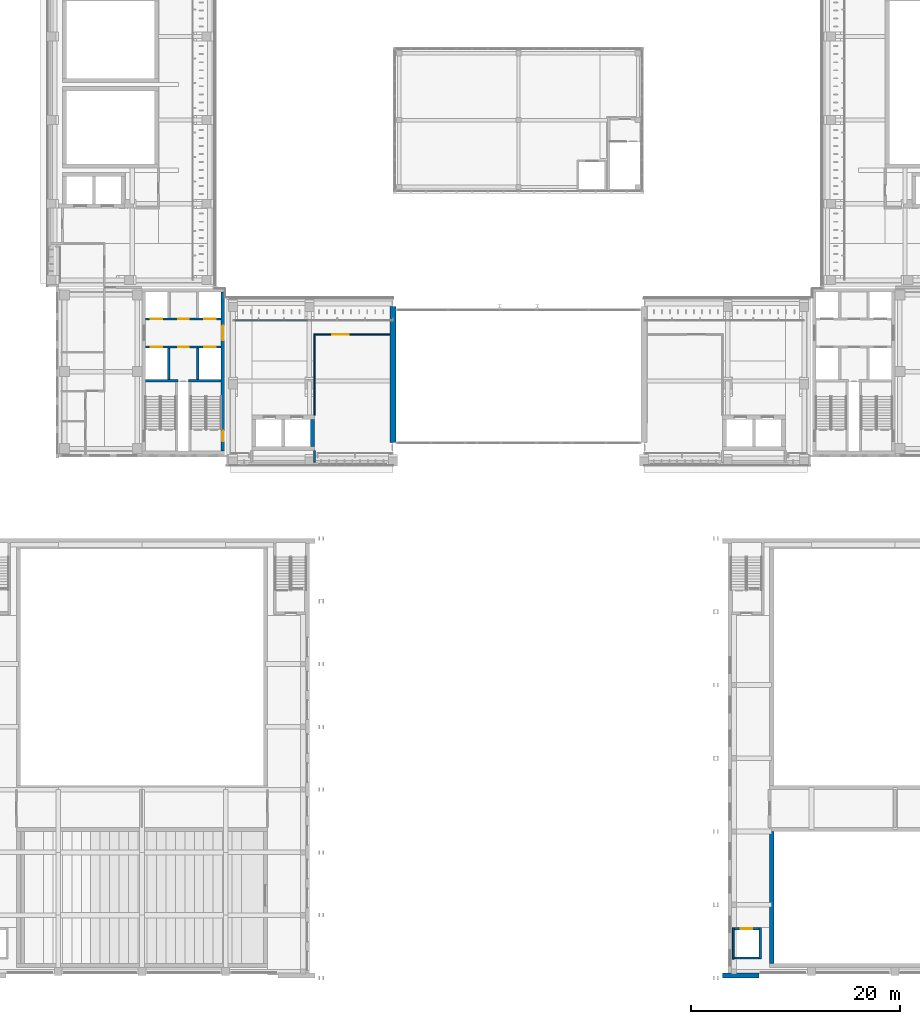
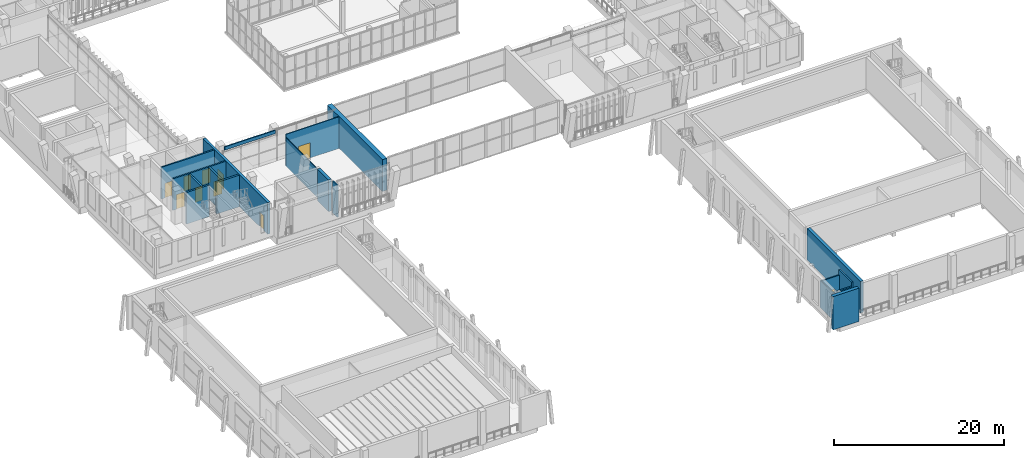
# One storey, part 60 of 92: 19 walls, 10 doors, 10 openings.
"""IFC4 building model written with IfcOpenShell, lengths in metres."""

from ifc_helpers import new_model, si_unit, direction, frame, frame_2d, origin, place, context, subcontext, project, spatial, rectangle, extrude, material, layer, layer_set, type_object, element, fill, save


model = new_model("IFC4")

# Units and contexts
model_context = context("Model", 3, precision=1e-05, world=origin(), true_north=direction((0.0, 1.0)))
body_context = subcontext(model_context, "Body", "Model", "MODEL_VIEW")
ifc_project = project(units=[si_unit("LENGTHUNIT", "METRE"), si_unit("AREAUNIT", "SQUARE_METRE"), si_unit("VOLUMEUNIT", "CUBIC_METRE"), si_unit("PLANEANGLEUNIT", "RADIAN"), si_unit("MASSUNIT", "GRAM", prefix="KILO")], contexts=[model_context])

# Site, building, storey
site_placement = place(None, origin())
site = spatial("IfcSite", under=ifc_project, at=site_placement, CompositionType="ELEMENT")
building_placement = place(site_placement, origin())
building = spatial("IfcBuilding", under=site, at=building_placement, Name="Lantern Court Media Centre", CompositionType="ELEMENT")
storey_placement = place(building_placement, frame((0.0, 0.0, 4.800048828125)))
storey = spatial("IfcBuildingStorey", under=building, at=storey_placement, Name="L01", CompositionType="ELEMENT", Elevation=4.800048828125)

# Wall
ifc_material_1 = material(Name="Gypsum board partition")
ifc_layer_1 = layer(ifc_material_1, 0.125)
ifc_layer_set_1 = layer_set([ifc_layer_1], Name="Gypsum board partition")
wall_type_1 = type_object("IfcWallType", Name="Corridor partition 125", PredefinedType="PARTITIONING", material=ifc_layer_set_1)
wall_1_placement = place(storey_placement, frame((32.5, 51.800048828125, 0.0), z_axis=(0.0, 0.0, 1.0), x_axis=(0.0, 1.0, 0.0)))
element("IfcWall", 1, at=wall_1_placement, inside=storey, type_object=wall_type_1, Name="L01 partition 005", PredefinedType="PARTITIONING", context=body_context, shape_type="SweptSolid", body=[
    extrude(rectangle(XDim=7.637451171875, YDim=0.125, at=frame_2d((3.81884765625, 0.0))), origin(), (0.0, 0.0, 1.0), 4.079833984375),
])

# Wall, opening, door
wall_2_placement = place(storey_placement, frame((32.4375, 59.5, 0.0), z_axis=(0.0, 0.0, 1.0), x_axis=(1.0, 0.0, 0.0)))
wall_2 = element("IfcWall", 2, at=wall_2_placement, inside=storey, type_object=wall_type_1, Name="L01 partition 008", PredefinedType="PARTITIONING", context=body_context, shape_type="SweptSolid", body=[
    extrude(rectangle(XDim=7.262451171875, YDim=0.125, at=frame_2d((3.63134765625, 0.0))), origin(), (0.0, 0.0, 1.0), 4.56005859375),
])
opening_1_placement = place(wall_2_placement, frame((1.737548828125, 0.0, 0.0)))
opening_1 = element("IfcOpeningElement", 3, at=opening_1_placement, cuts=wall_2, Name="Opening L01-001", PredefinedType="OPENING", context=body_context, shape_type="SweptSolid", body=[
    extrude(rectangle(XDim=1.60009765625, YDim=2.199951171875, at=frame_2d((0.800048828125, 1.10009765625))), frame((0.0, 0.072509765625, 0.0), z_axis=(0.0, -1.0, 0.0), x_axis=(1.0, 0.0, 0.0)), (0.0, 0.0, 1.0), 0.14501953125),
])
ifc_material_2 = material(Name="Solid-core timber door leaf", Category="wood")
door_type_1 = type_object("IfcDoorType", Name="Double door 1600x2200", OperationType="NOTDEFINED", PredefinedType="DOOR", material=ifc_material_2)
door_1_placement = place(opening_1_placement, frame((1.60009765625, 0.0, 0.0), z_axis=(0.0, 0.0, 1.0), x_axis=(-1.0, 0.0, 0.0)))
door_1 = element("IfcDoor", 4, at=door_1_placement, inside=storey, type_object=door_type_1, Name="L01 Exhibition Gallery door", OperationType="DOUBLE_DOOR_SINGLE_SWING", OverallHeight=2.199951171875, OverallWidth=1.60009765625, PredefinedType="DOOR", context=body_context, shape_type="SweptSolid", body=[
    extrude(rectangle(XDim=1.60009765625, YDim=2.199951171875, at=frame_2d((0.800048828125, 1.10009765625))), frame((0.0, 0.02490234375, 0.0), z_axis=(0.0, -1.0, 0.0), x_axis=(1.0, 0.0, 0.0)), (0.0, 0.0, 1.0), 0.050048828125),
])
fill(opening_1, door_1)

# Wall, openings, doors
ifc_material_3 = material(Name="Concrete C40", Category="concrete")
ifc_layer_2 = layer(ifc_material_3, 0.199951171875)
ifc_layer_set_2 = layer_set([ifc_layer_2], Name="Concrete C40")
wall_type_2 = type_object("IfcWallType", Name="Fire lobby wall 200", PredefinedType="SOLIDWALL", material=ifc_layer_set_2)
wall_3_placement = place(storey_placement, frame((16.35009765625, 58.300048828125, 0.0), z_axis=(0.0, 0.0, 1.0), x_axis=(1.0, 0.0, 0.0)))
wall_3 = element("IfcWall", 5, at=wall_3_placement, inside=storey, type_object=wall_type_2, Name="L01 SW FW1", PredefinedType="SOLIDWALL", context=body_context, shape_type="SweptSolid", body=[
    extrude(rectangle(XDim=7.199951171875, YDim=0.199951171875, at=frame_2d((3.60009765625, 0.0))), origin(), (0.0, 0.0, 1.0), 4.550048828125),
])
opening_2_placement = place(wall_3_placement, frame((0.5, 0.0, 0.0)))
opening_2 = element("IfcOpeningElement", 6, at=opening_2_placement, cuts=wall_3, Name="Opening LD-SWFF-L01", PredefinedType="OPENING", context=body_context, shape_type="SweptSolid", body=[
    extrude(rectangle(XDim=1.10009765625, YDim=2.10009765625, at=frame_2d((0.550048828125, 1.050048828125))), frame((0.0, 0.10986328125, 0.0), z_axis=(0.0, -1.0, 0.0), x_axis=(1.0, 0.0, 0.0)), (0.0, 0.0, 1.0), 0.219970703125),
])
opening_3_placement = place(wall_3_placement, frame((5.60009765625, 0.0, 0.0)))
opening_3 = element("IfcOpeningElement", 7, at=opening_3_placement, cuts=wall_3, Name="Opening LD-SWP1-L01", PredefinedType="OPENING", context=body_context, shape_type="SweptSolid", body=[
    extrude(rectangle(XDim=1.10009765625, YDim=2.10009765625, at=frame_2d((0.550048828125, 1.050048828125))), frame((0.0, 0.10986328125, 0.0), z_axis=(0.0, -1.0, 0.0), x_axis=(1.0, 0.0, 0.0)), (0.0, 0.0, 1.0), 0.219970703125),
])
opening_4_placement = place(wall_3_placement, frame((3.10009765625, 0.0, 0.0)))
opening_4 = element("IfcOpeningElement", 8, at=opening_4_placement, cuts=wall_3, Name="Opening SW-L01-03", PredefinedType="OPENING", context=body_context, shape_type="SweptSolid", body=[
    extrude(rectangle(XDim=1.0, YDim=2.10009765625, at=frame_2d((0.5, 1.050048828125))), frame((0.0, 0.10986328125, 0.0), z_axis=(0.0, -1.0, 0.0), x_axis=(1.0, 0.0, 0.0)), (0.0, 0.0, 1.0), 0.219970703125),
])
ifc_material_4 = material(Name="Steel door leaf", Category="steel")
door_type_2 = type_object("IfcDoorType", Name="Lift landing door 1100x2100", OperationType="DOUBLE_DOOR_SLIDING", PredefinedType="DOOR", material=ifc_material_4)
door_2_placement = place(opening_2_placement, origin())
door_2 = element("IfcDoor", 9, at=door_2_placement, inside=storey, type_object=door_type_2, Name="L01 SW lift FF landing door", OperationType="DOUBLE_DOOR_SLIDING", OverallHeight=2.10009765625, OverallWidth=1.10009765625, PredefinedType="DOOR", context=body_context, shape_type="SweptSolid", body=[
    extrude(rectangle(XDim=1.10009765625, YDim=2.10009765625, at=frame_2d((0.550048828125, 1.050048828125))), frame((0.0, 0.02490234375, 0.0), z_axis=(0.0, -1.0, 0.0), x_axis=(1.0, 0.0, 0.0)), (0.0, 0.0, 1.0), 0.050048828125),
])
fill(opening_2, door_2)
door_3_placement = place(opening_3_placement, origin())
door_3 = element("IfcDoor", 10, at=door_3_placement, inside=storey, type_object=door_type_2, Name="L01 SW lift P1 landing door", OperationType="DOUBLE_DOOR_SLIDING", OverallHeight=2.10009765625, OverallWidth=1.10009765625, PredefinedType="DOOR", context=body_context, shape_type="SweptSolid", body=[
    extrude(rectangle(XDim=1.10009765625, YDim=2.10009765625, at=frame_2d((0.550048828125, 1.050048828125))), frame((0.0, 0.02490234375, 0.0), z_axis=(0.0, -1.0, 0.0), x_axis=(1.0, 0.0, 0.0)), (0.0, 0.0, 1.0), 0.050048828125),
])
fill(opening_3, door_3)
door_type_3 = type_object("IfcDoorType", Name="Service door 1000x2100", OperationType="NOTDEFINED", PredefinedType="DOOR", material=ifc_material_4)
door_4_placement = place(opening_4_placement, origin())
door_4 = element("IfcDoor", 11, at=door_4_placement, inside=storey, type_object=door_type_3, Name="L01 SW services riser door", OperationType="SINGLE_SWING_LEFT", OverallHeight=2.10009765625, OverallWidth=1.0, PredefinedType="DOOR", context=body_context, shape_type="SweptSolid", body=[
    extrude(rectangle(XDim=1.0, YDim=2.10009765625, at=frame_2d((0.5, 1.050048828125))), frame((0.0, 0.02490234375, 0.0), z_axis=(0.0, -1.0, 0.0), x_axis=(1.0, 0.0, 0.0)), (0.0, 0.0, 1.0), 0.050048828125),
])
fill(opening_4, door_4)

wall_4_placement = place(storey_placement, frame((16.35009765625, 61.0, 0.0), z_axis=(0.0, 0.0, 1.0), x_axis=(1.0, 0.0, 0.0)))
wall_4 = element("IfcWall", 12, at=wall_4_placement, inside=storey, type_object=wall_type_2, Name="L01 SW FW2", PredefinedType="SOLIDWALL", context=body_context, shape_type="SweptSolid", body=[
    extrude(rectangle(XDim=7.199951171875, YDim=0.199951171875, at=frame_2d((3.60009765625, 0.0))), origin(), (0.0, 0.0, 1.0), 4.550048828125),
])
opening_5_placement = place(wall_4_placement, frame((0.5, 0.0, 0.0)))
opening_5 = element("IfcOpeningElement", 13, at=opening_5_placement, cuts=wall_4, Name="Opening LD-SWP2-L01", PredefinedType="OPENING", context=body_context, shape_type="SweptSolid", body=[
    extrude(rectangle(XDim=1.10009765625, YDim=2.10009765625, at=frame_2d((0.550048828125, 1.050048828125))), frame((0.0, 0.10986328125, 0.0), z_axis=(0.0, -1.0, 0.0), x_axis=(1.0, 0.0, 0.0)), (0.0, 0.0, 1.0), 0.219970703125),
])
opening_6_placement = place(wall_4_placement, frame((5.60009765625, 0.0, 0.0)))
opening_6 = element("IfcOpeningElement", 14, at=opening_6_placement, cuts=wall_4, Name="Opening LD-SWP3-L01", PredefinedType="OPENING", context=body_context, shape_type="SweptSolid", body=[
    extrude(rectangle(XDim=1.10009765625, YDim=2.10009765625, at=frame_2d((0.550048828125, 1.050048828125))), frame((0.0, 0.10986328125, 0.0), z_axis=(0.0, -1.0, 0.0), x_axis=(1.0, 0.0, 0.0)), (0.0, 0.0, 1.0), 0.219970703125),
])
opening_7_placement = place(wall_4_placement, frame((3.10009765625, 0.0, 0.0)))
opening_7 = element("IfcOpeningElement", 15, at=opening_7_placement, cuts=wall_4, Name="Opening SW-L01-04", PredefinedType="OPENING", context=body_context, shape_type="SweptSolid", body=[
    extrude(rectangle(XDim=1.0, YDim=2.10009765625, at=frame_2d((0.5, 1.050048828125))), frame((0.0, 0.10986328125, 0.0), z_axis=(0.0, -1.0, 0.0), x_axis=(1.0, 0.0, 0.0)), (0.0, 0.0, 1.0), 0.219970703125),
])
door_5_placement = place(opening_5_placement, frame((1.10009765625, 0.0, 0.0), z_axis=(0.0, 0.0, 1.0), x_axis=(-1.0, 0.0, 0.0)))
door_5 = element("IfcDoor", 16, at=door_5_placement, inside=storey, type_object=door_type_2, Name="L01 SW lift P2 landing door", OperationType="DOUBLE_DOOR_SLIDING", OverallHeight=2.10009765625, OverallWidth=1.10009765625, PredefinedType="DOOR", context=body_context, shape_type="SweptSolid", body=[
    extrude(rectangle(XDim=1.10009765625, YDim=2.10009765625, at=frame_2d((0.550048828125, 1.050048828125))), frame((0.0, 0.02490234375, 0.0), z_axis=(0.0, -1.0, 0.0), x_axis=(1.0, 0.0, 0.0)), (0.0, 0.0, 1.0), 0.050048828125),
])
fill(opening_5, door_5)
door_6_placement = place(opening_6_placement, frame((1.10009765625, 0.0, 0.0), z_axis=(0.0, 0.0, 1.0), x_axis=(-1.0, 0.0, 0.0)))
door_6 = element("IfcDoor", 17, at=door_6_placement, inside=storey, type_object=door_type_2, Name="L01 SW lift P3 landing door", OperationType="DOUBLE_DOOR_SLIDING", OverallHeight=2.10009765625, OverallWidth=1.10009765625, PredefinedType="DOOR", context=body_context, shape_type="SweptSolid", body=[
    extrude(rectangle(XDim=1.10009765625, YDim=2.10009765625, at=frame_2d((0.550048828125, 1.050048828125))), frame((0.0, 0.02490234375, 0.0), z_axis=(0.0, -1.0, 0.0), x_axis=(1.0, 0.0, 0.0)), (0.0, 0.0, 1.0), 0.050048828125),
])
fill(opening_6, door_6)
door_7_placement = place(opening_7_placement, frame((1.0, 0.0, 0.0), z_axis=(0.0, 0.0, 1.0), x_axis=(-1.0, 0.0, 0.0)))
door_7 = element("IfcDoor", 18, at=door_7_placement, inside=storey, type_object=door_type_3, Name="L01 SW accessible WC door", OperationType="SINGLE_SWING_RIGHT", OverallHeight=2.10009765625, OverallWidth=1.0, PredefinedType="DOOR", context=body_context, shape_type="SweptSolid", body=[
    extrude(rectangle(XDim=1.0, YDim=2.10009765625, at=frame_2d((0.5, 1.050048828125))), frame((0.0, 0.02490234375, 0.0), z_axis=(0.0, -1.0, 0.0), x_axis=(1.0, 0.0, 0.0)), (0.0, 0.0, 1.0), 0.050048828125),
])
fill(opening_7, door_7)

# Walls
ifc_material_5 = material(Name="Limestone masonry, insulated", Category="masonry")
ifc_layer_3 = layer(ifc_material_5, 0.449951171875)
ifc_layer_set_3 = layer_set([ifc_layer_3], Name="Limestone masonry, insulated")
wall_type_3 = type_object("IfcWallType", Name="Hall wall, stone-faced masonry 450", PredefinedType="SOLIDWALL", material=ifc_layer_set_3)
wall_5_placement = place(storey_placement, frame((71.472900390625, -1.77490234375, 0.0), z_axis=(0.0, 0.0, 1.0), x_axis=(1.0, 0.0, 0.0)))
element("IfcWall", 19, at=wall_5_placement, inside=storey, type_object=wall_type_3, Name="Studio Hall south gable L01", PredefinedType="SOLIDWALL", context=body_context, shape_type="SweptSolid", body=[
    extrude(rectangle(XDim=3.527099609375, YDim=0.449951171875, at=frame_2d((1.763671875, 0.0))), origin(), (0.0, 0.0, 1.0), 4.800048828125),
])
ifc_material_6 = material(Name="Insulated rendered blockwork", Category="masonry")
ifc_layer_4 = layer(ifc_material_6, 0.14990234375)
ifc_layer_set_4 = layer_set([ifc_layer_4], Name="Insulated rendered blockwork")
wall_type_4 = type_object("IfcWallType", Name="Head infill wall 150", PredefinedType="SOLIDWALL", material=ifc_layer_set_4)
wall_6_placement = place(storey_placement, frame((24.89990234375, 60.85009765625, 4.099853515625), z_axis=(0.0, 0.0, 1.0), x_axis=(1.0, 0.0, 0.0)))
element("IfcWall", 20, at=wall_6_placement, inside=storey, type_object=wall_type_4, Name="Head infill wall S inner L01", PredefinedType="SOLIDWALL", context=body_context, shape_type="SweptSolid", body=[
    extrude(rectangle(XDim=6.900146484375, YDim=0.14990234375, at=frame_2d((3.4501953125, 0.0))), origin(), (0.0, 0.0, 1.0), 0.47998046875),
])

# Wall, openings, doors
ifc_layer_5 = layer(ifc_material_3, 0.35009765625)
ifc_layer_set_5 = layer_set([ifc_layer_5], Name="Concrete C40")
wall_type_5 = type_object("IfcWallType", Name="RC CORE WALL 350", PredefinedType="SHEAR", material=ifc_layer_set_5)
wall_7_placement = place(storey_placement, frame((23.72509765625, 48.35009765625, 0.0), z_axis=(0.0, 0.0, 1.0), x_axis=(0.0, 1.0, 0.0)))
wall_7 = element("IfcWall", 21, at=wall_7_placement, inside=storey, type_object=wall_type_5, Name="WC-SW-L01-E", PredefinedType="SHEAR", context=body_context, shape_type="SweptSolid", body=[
    extrude(rectangle(XDim=15.199951171875, YDim=0.35009765625, at=frame_2d((7.60009765625, 0.0))), origin(), (0.0, 0.0, 1.0), 4.579833984375),
])
opening_8_placement = place(wall_7_placement, frame((0.949951171875, 0.0, 0.0)))
opening_8 = element("IfcOpeningElement", 22, at=opening_8_placement, cuts=wall_7, Name="Opening SW-L01-02", PredefinedType="OPENING", context=body_context, shape_type="SweptSolid", body=[
    extrude(rectangle(XDim=1.0, YDim=2.10009765625, at=frame_2d((0.5, 1.050048828125))), frame((0.0, 0.18505859375, 0.0), z_axis=(0.0, -1.0, 0.0), x_axis=(1.0, 0.0, 0.0)), (0.0, 0.0, 1.0), 0.3701171875),
])
opening_9_placement = place(wall_7_placement, frame((10.60009765625, 0.0, 0.0)))
opening_9 = element("IfcOpeningElement", 23, at=opening_9_placement, cuts=wall_7, Name="Opening SW-L01-06", PredefinedType="OPENING", context=body_context, shape_type="SweptSolid", body=[
    extrude(rectangle(XDim=1.39990234375, YDim=2.10009765625, at=frame_2d((0.699951171875, 1.050048828125))), frame((0.0, 0.18505859375, 0.0), z_axis=(0.0, -1.0, 0.0), x_axis=(1.0, 0.0, 0.0)), (0.0, 0.0, 1.0), 0.3701171875),
])
door_type_4 = type_object("IfcDoorType", Name="Lift lobby double door 1400x2100", OperationType="NOTDEFINED", PredefinedType="DOOR", material=ifc_material_4)
door_8_placement = place(opening_9_placement, frame((1.39990234375, 0.0, 0.0), z_axis=(0.0, 0.0, 1.0), x_axis=(-1.0, 0.0, 0.0)))
door_8 = element("IfcDoor", 24, at=door_8_placement, inside=storey, type_object=door_type_4, Name="L01 SW lift lobby east door", OperationType="SINGLE_SWING_RIGHT", OverallHeight=2.10009765625, OverallWidth=1.39990234375, PredefinedType="DOOR", context=body_context, shape_type="SweptSolid", body=[
    extrude(rectangle(XDim=1.39990234375, YDim=2.10009765625, at=frame_2d((0.699951171875, 1.050048828125))), frame((0.0, 0.02490234375, 0.0), z_axis=(0.0, -1.0, 0.0), x_axis=(1.0, 0.0, 0.0)), (0.0, 0.0, 1.0), 0.050048828125),
])
fill(opening_9, door_8)
door_type_5 = type_object("IfcDoorType", Name="Stair door 1000x2100", OperationType="NOTDEFINED", PredefinedType="DOOR", material=ifc_material_4)
door_9_placement = place(opening_8_placement, frame((1.0, 0.0, 0.0), z_axis=(0.0, 0.0, 1.0), x_axis=(-1.0, 0.0, 0.0)))
door_9 = element("IfcDoor", 25, at=door_9_placement, inside=storey, type_object=door_type_5, Name="L01 SW stair B door", OperationType="SINGLE_SWING_RIGHT", OverallHeight=2.10009765625, OverallWidth=1.0, PredefinedType="DOOR", context=body_context, shape_type="SweptSolid", body=[
    extrude(rectangle(XDim=1.0, YDim=2.10009765625, at=frame_2d((0.5, 1.050048828125))), frame((0.0, 0.02490234375, 0.0), z_axis=(0.0, -1.0, 0.0), x_axis=(1.0, 0.0, 0.0)), (0.0, 0.0, 1.0), 0.050048828125),
])
fill(opening_8, door_9)

# Walls
ifc_layer_6 = layer(ifc_material_3, 0.39990234375)
ifc_layer_set_6 = layer_set([ifc_layer_6], Name="Concrete C40")
wall_type_6 = type_object("IfcWallType", Name="RC SHEAR WALL 400", PredefinedType="SHEAR", material=ifc_layer_set_6)
wall_8_placement = place(storey_placement, frame((32.300048828125, 48.800048828125, 0.0), z_axis=(0.0, 0.0, 1.0), x_axis=(0.0, 1.0, 0.0)))
element("IfcWall", 26, at=wall_8_placement, inside=storey, type_object=wall_type_6, Name="WB-S-LC1-L01-E", PredefinedType="SHEAR", context=body_context, shape_type="SweptSolid", body=[
    extrude(rectangle(XDim=2.599853515625, YDim=0.39990234375, at=frame_2d((1.2998046875, 0.0))), origin(), (0.0, 0.0, 1.0), 4.579833984375),
])
wall_9_placement = place(storey_placement, frame((76.199951171875, -0.60009765625, 0.0), z_axis=(0.0, 0.0, 1.0), x_axis=(0.0, 1.0, 0.0)))
element("IfcWall", 27, at=wall_9_placement, inside=storey, type_object=wall_type_6, Name="WB-V2-STB-L01-W", PredefinedType="SHEAR", context=body_context, shape_type="SweptSolid", body=[
    extrude(rectangle(XDim=12.60009765625, YDim=0.39990234375, at=frame_2d((6.300048828125, 0.0))), origin(), (0.0, 0.0, 1.0), 4.550048828125),
])
ifc_layer_7 = layer(ifc_material_3, 0.60009765625)
ifc_layer_set_7 = layer_set([ifc_layer_7], Name="Concrete C40")
wall_type_7 = type_object("IfcWallType", Name="RC SHEAR WALL 600", PredefinedType="SHEAR", material=ifc_layer_set_7)
wall_10_placement = place(storey_placement, frame((40.0, 49.199951171875, 0.0), z_axis=(0.0, 0.0, 1.0), x_axis=(0.0, 1.0, 0.0)))
element("IfcWall", 28, at=wall_10_placement, inside=storey, type_object=wall_type_7, Name="WF-S-40-L01-W", PredefinedType="SHEAR", context=body_context, shape_type="SweptSolid", body=[
    extrude(rectangle(XDim=13.0, YDim=0.60009765625, at=frame_2d((6.5, 0.0))), origin(), (0.0, 0.0, 1.0), 4.579833984375),
])
ifc_layer_8 = layer(ifc_material_3, 0.14990234375)
ifc_layer_set_8 = layer_set([ifc_layer_8], Name="Concrete C40")
wall_type_8 = type_object("IfcWallType", Name="RC lift shaft wall 150", PredefinedType="SOLIDWALL", material=ifc_layer_set_8)
wall_11_placement = place(storey_placement, frame((72.52490234375, -0.199951171875, 0.0), z_axis=(0.0, 0.0, 1.0), x_axis=(0.0, 1.0, 0.0)))
element("IfcWall", 29, at=wall_11_placement, inside=storey, type_object=wall_type_8, Name="L01 V2-LIFT shaft wall W", PredefinedType="SOLIDWALL", context=body_context, shape_type="SweptSolid", body=[
    extrude(rectangle(XDim=3.0, YDim=0.14990234375, at=frame_2d((1.5, 0.0))), origin(), (0.0, 0.0, 1.0), 3.8798828125),
])
ifc_layer_9 = layer(ifc_material_3, 0.199951171875)
ifc_layer_set_9 = layer_set([ifc_layer_9], Name="Concrete C40")
wall_type_9 = type_object("IfcWallType", Name="RC lift shaft wall 200", PredefinedType="SOLIDWALL", material=ifc_layer_set_9)
wall_12_placement = place(storey_placement, frame((75.10009765625, -0.199951171875, 0.0), z_axis=(0.0, 0.0, 1.0), x_axis=(0.0, 1.0, 0.0)))
element("IfcWall", 30, at=wall_12_placement, inside=storey, type_object=wall_type_9, Name="L01 V2-LIFT shaft wall E", PredefinedType="SOLIDWALL", context=body_context, shape_type="SweptSolid", body=[
    extrude(rectangle(XDim=3.0, YDim=0.199951171875, at=frame_2d((1.5, 0.0))), origin(), (0.0, 0.0, 1.0), 4.550048828125),
])
wall_13_placement = place(storey_placement, frame((72.60009765625, -0.10009765625, 0.0), z_axis=(0.0, 0.0, 1.0), x_axis=(1.0, 0.0, 0.0)))
element("IfcWall", 31, at=wall_13_placement, inside=storey, type_object=wall_type_9, Name="L01 V2-LIFT shaft wall S", PredefinedType="SOLIDWALL", context=body_context, shape_type="SweptSolid", body=[
    extrude(rectangle(XDim=2.39990234375, YDim=0.199951171875, at=frame_2d((1.199951171875, 0.0))), origin(), (0.0, 0.0, 1.0), 3.8798828125),
])

# Wall, opening, door
wall_14_placement = place(storey_placement, frame((72.60009765625, 2.699951171875, 0.0), z_axis=(0.0, 0.0, 1.0), x_axis=(1.0, 0.0, 0.0)))
wall_14 = element("IfcWall", 32, at=wall_14_placement, inside=storey, type_object=wall_type_9, Name="L01 V2-LIFT shaft wall N", PredefinedType="SOLIDWALL", context=body_context, shape_type="SweptSolid", body=[
    extrude(rectangle(XDim=2.39990234375, YDim=0.199951171875, at=frame_2d((1.199951171875, 0.0))), origin(), (0.0, 0.0, 1.0), 3.8798828125),
])
opening_10_placement = place(wall_14_placement, frame((0.64990234375, 0.0, 0.0)))
opening_10 = element("IfcOpeningElement", 33, at=opening_10_placement, cuts=wall_14, Name="Opening LD-V2-LIFT-L01", PredefinedType="OPENING", context=body_context, shape_type="SweptSolid", body=[
    extrude(rectangle(XDim=1.10009765625, YDim=2.10009765625, at=frame_2d((0.550048828125, 1.050048828125))), frame((0.0, 0.10986328125, 0.0), z_axis=(0.0, -1.0, 0.0), x_axis=(1.0, 0.0, 0.0)), (0.0, 0.0, 1.0), 0.219970703125),
])
door_10_placement = place(opening_10_placement, origin())
door_10 = element("IfcDoor", 34, at=door_10_placement, inside=storey, type_object=door_type_2, Name="L01 V2-LIFT lift landing door", OperationType="DOUBLE_DOOR_SLIDING", OverallHeight=2.10009765625, OverallWidth=1.10009765625, PredefinedType="DOOR", context=body_context, shape_type="SweptSolid", body=[
    extrude(rectangle(XDim=1.10009765625, YDim=2.10009765625, at=frame_2d((0.550048828125, 1.050048828125))), frame((0.0, 0.02490234375, 0.0), z_axis=(0.0, -1.0, 0.0), x_axis=(1.0, 0.0, 0.0)), (0.0, 0.0, 1.0), 0.050048828125),
])
fill(opening_10, door_10)

# Walls
ifc_layer_10 = layer(ifc_material_3, 0.25)
ifc_layer_set_10 = layer_set([ifc_layer_10], Name="Concrete C40")
wall_type_10 = type_object("IfcWallType", Name="RC lift shaft wall 250", PredefinedType="SOLIDWALL", material=ifc_layer_set_10)
for number, where, z_axis, x_axis, name in (
    (35, (18.574951171875, 55.199951171875, 0.0), (0.0, 0.0, 1.0), (0.0, 1.0, 0.0), "L01 SW L1a"),
    (36, (21.324951171875, 55.199951171875, 0.0), (0.0, 0.0, 1.0), (0.0, 1.0, 0.0), "L01 SW L2a"),
):
    element("IfcWall", number, at=place(storey_placement, frame(where, z_axis=z_axis, x_axis=x_axis)), inside=storey, type_object=wall_type_10, Name=name, PredefinedType="SOLIDWALL", context=body_context, shape_type="SweptSolid", body=[
        extrude(rectangle(XDim=3.0, YDim=0.25, at=frame_2d((1.5, 0.0))), origin(), (0.0, 0.0, 1.0), 4.550048828125),
    ])
ifc_layer_11 = layer(ifc_material_3, 0.25)
ifc_layer_set_11 = layer_set([ifc_layer_11], Name="Concrete C40")
wall_type_11 = type_object("IfcWallType", Name="RC stair shaft wall 250", PredefinedType="SOLIDWALL", material=ifc_layer_set_11)
wall_15_placement = place(storey_placement, frame((16.35009765625, 55.074951171875, 0.0), z_axis=(0.0, 0.0, 1.0), x_axis=(1.0, 0.0, 0.0)))
element("IfcWall", 37, at=wall_15_placement, inside=storey, type_object=wall_type_11, Name="L01 SW SN1", PredefinedType="SOLIDWALL", context=body_context, shape_type="SweptSolid", body=[
    extrude(rectangle(XDim=3.099853515625, YDim=0.25, at=frame_2d((1.5498046875, 0.0))), origin(), (0.0, 0.0, 1.0), 4.550048828125),
])
wall_16_placement = place(storey_placement, frame((20.449951171875, 55.074951171875, 0.0), z_axis=(0.0, 0.0, 1.0), x_axis=(1.0, 0.0, 0.0)))
element("IfcWall", 38, at=wall_16_placement, inside=storey, type_object=wall_type_11, Name="L01 SW SN2", PredefinedType="SOLIDWALL", context=body_context, shape_type="SweptSolid", body=[
    extrude(rectangle(XDim=3.10009765625, YDim=0.25, at=frame_2d((1.550048828125, 0.0))), origin(), (0.0, 0.0, 1.0), 4.550048828125),
])
ifc_material_7 = material(Name="Fire-rated gypsum board")
ifc_layer_12 = layer(ifc_material_7, 0.159912109375)
ifc_layer_set_12 = layer_set([ifc_layer_12], Name="Fire-rated gypsum board")
wall_type_12 = type_object("IfcWallType", Name="Riser shaft liner wall 160", PredefinedType="PARTITIONING", material=ifc_layer_set_12)
wall_17_placement = place(storey_placement, frame((32.5, 47.300048828125, 0.0), z_axis=(0.0, 0.0, 1.0), x_axis=(0.0, 1.0, 0.0)))
element("IfcWall", 39, at=wall_17_placement, inside=storey, type_object=wall_type_12, Name="L01 partition 004", PredefinedType="PARTITIONING", context=body_context, shape_type="SweptSolid", body=[
    extrude(rectangle(XDim=1.099853515625, YDim=0.159912109375, at=frame_2d((0.5498046875, 0.0))), origin(), (0.0, 0.0, 1.0), 4.56005859375),
])

save(model, "model.ifc")
